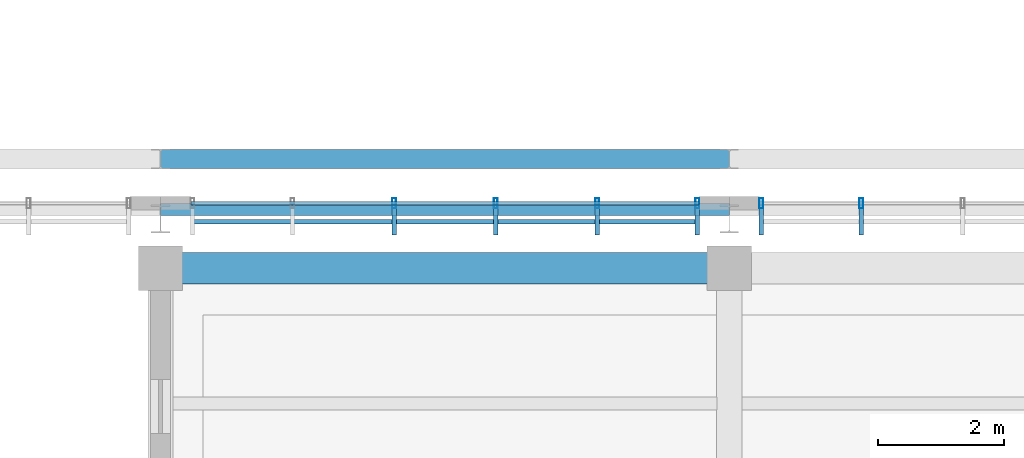
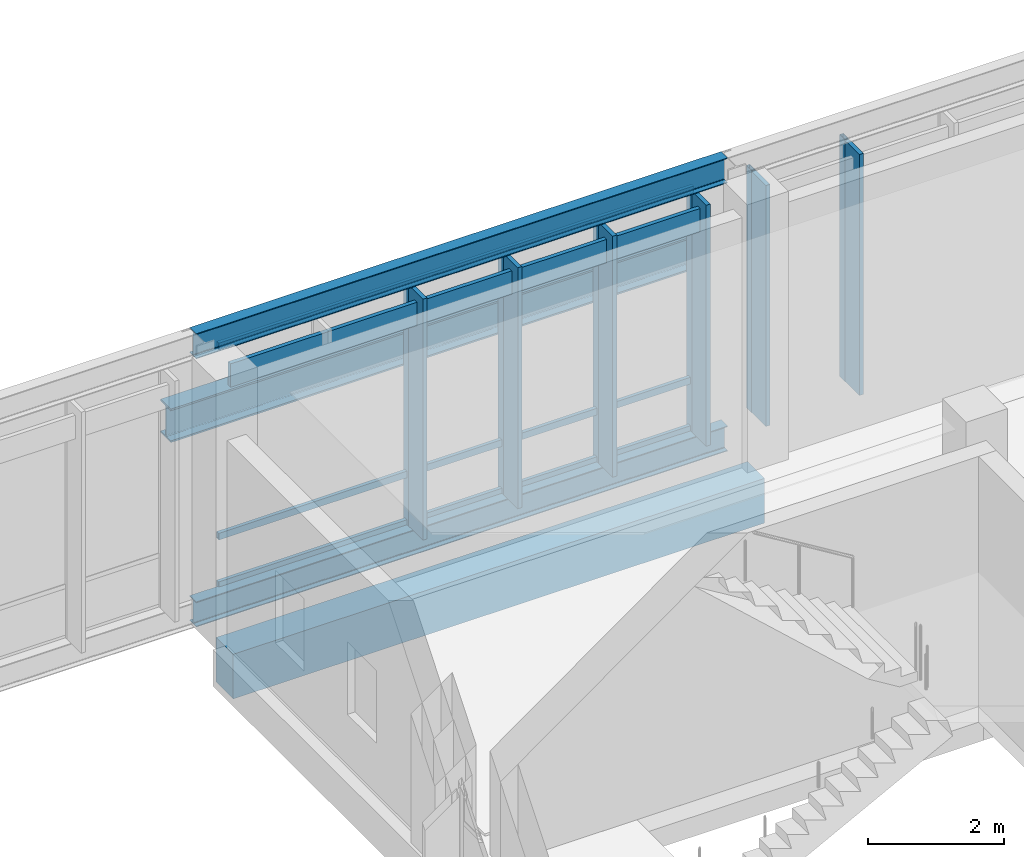
# One storey, part 96 of 177: 16 members, 4 beams, 2 elements without a shape of their own.
"""IFC4 building model written with IfcOpenShell, lengths in metres."""

from ifc_helpers import new_model, si_unit, direction, frame, origin, origin_2d, place, context, subcontext, project, spatial, rectangle, hollow_rectangle, i_section, extrude, material, material_profile, profile_set, type_object, element, aggregate, save


model = new_model("IFC4")

# Units and contexts
model_context = context("Model", 3, precision=1e-05, world=origin(), true_north=direction((0.0, 1.0)))
body_context = subcontext(model_context, "Body", "Model", "MODEL_VIEW")
ifc_project = project(units=[si_unit("LENGTHUNIT", "METRE"), si_unit("AREAUNIT", "SQUARE_METRE"), si_unit("VOLUMEUNIT", "CUBIC_METRE"), si_unit("PLANEANGLEUNIT", "RADIAN"), si_unit("MASSUNIT", "GRAM", prefix="KILO")], contexts=[model_context])

# Site, building, storey
site_placement = place(None, origin())
site = spatial("IfcSite", under=ifc_project, at=site_placement, CompositionType="ELEMENT")
building_placement = place(site_placement, origin())
building = spatial("IfcBuilding", under=site, at=building_placement, Name="Chiffa Square Polytechnic", CompositionType="ELEMENT")
storey_placement = place(building_placement, frame((0.0, 0.0, 4.800048828125)))
storey = spatial("IfcBuildingStorey", under=building, at=storey_placement, Name="L01", CompositionType="ELEMENT", Elevation=4.800048828125)

# Beams
ifc_material_1 = material(Name="Concrete C40/50", Category="concrete")
ifc_material_profile_1 = material_profile(ifc_material_1, rectangle(XDim=0.5, YDim=0.800048828125, at=origin_2d()), Name="RC 500x800")
ifc_profile_set_1 = profile_set([ifc_material_profile_1], Name="Concrete C40/50")
beam_type_1 = type_object("IfcBeamType", Name="BM-RC-500X800", PredefinedType="BEAM", material=ifc_profile_set_1)
beam_1_placement = place(storey_placement, frame((148.199951171875, 57.419921875, -0.679931640625), z_axis=(1.0, 0.0, 0.0), x_axis=(0.0, 1.0, 0.0)))
element("IfcBeam", 1, at=beam_1_placement, inside=storey, type_object=beam_type_1, Name="Primary floor girder BM-V1-L01-X-1482-0574", PredefinedType="BEAM", context=body_context, shape_type="SweptSolid", body=[
    extrude(rectangle(XDim=0.5, YDim=0.800048828125, at=origin_2d()), origin(), (0.0, 0.0, 1.0), 9.0),
])
ifc_material_2 = material(Name="Steel S355", Category="steel")
ifc_material_profile_2 = material_profile(ifc_material_2, i_section(OverallWidth=0.18994140625, OverallDepth=0.449951171875, WebThickness=0.009521484375, FlangeThickness=0.0146484375, FilletRadius=0.02099609375, at=origin_2d()), Name="IPE 450")
ifc_profile_set_2 = profile_set([ifc_material_profile_2], Name="Steel S355")
beam_type_2 = type_object("IfcBeamType", Name="BM-STL-IPE450", PredefinedType="BEAM", material=ifc_profile_set_2)
for number, where, z_axis, x_axis, name in (
    (2, (148.199951171875, 58.35009765625, -0.22509765625), (1.0, 0.0, 0.0), (0.0, 1.0, 0.0), "Workshop south clerestory sill girder BM-V2-STIE-L01-3"),
    (3, (148.199951171875, 58.35009765625, 4.574951171875), (1.0, 0.0, 0.0), (0.0, 1.0, 0.0), "Workshop south eave tie girder BM-V2-STIE-L02-3"),
):
    element("IfcBeam", number, at=place(storey_placement, frame(where, z_axis=z_axis, x_axis=x_axis)), inside=storey, type_object=beam_type_2, Name=name, PredefinedType="BEAM", context=body_context, shape_type="SweptSolid", body=[
        extrude(i_section(OverallWidth=0.18994140625, OverallDepth=0.449951171875, WebThickness=0.009521484375, FlangeThickness=0.0146484375, FilletRadius=0.02099609375, at=origin_2d()), origin(), (0.0, 0.0, 1.0), 9.0),
    ])
ifc_material_profile_3 = material_profile(ifc_material_2, i_section(OverallWidth=0.300048828125, OverallDepth=0.60009765625, WebThickness=0.015380859375, FlangeThickness=0.030029296875, FilletRadius=0.027099609375, at=origin_2d()), Name="HEB 600")
ifc_profile_set_3 = profile_set([ifc_material_profile_3], Name="Steel S355")
beam_type_3 = type_object("IfcBeamType", Name="CG-STL-HEB600", PredefinedType="USERDEFINED", material=ifc_profile_set_3)
beam_2_placement = place(storey_placement, frame((148.199951171875, 59.14990234375, 2.699951171875), z_axis=(1.0, 0.0, 0.0), x_axis=(0.0, 1.0, 0.0)))
element("IfcBeam", 4, at=beam_2_placement, inside=storey, type_object=beam_type_3, Name="Bridge crane runway girder CG-V2-L01-S05", ObjectType="CRANE GIRDER", PredefinedType="USERDEFINED", context=body_context, shape_type="SweptSolid", body=[
    extrude(i_section(OverallWidth=0.300048828125, OverallDepth=0.60009765625, WebThickness=0.015380859375, FlangeThickness=0.030029296875, FilletRadius=0.027099609375, at=origin_2d()), origin(), (0.0, 0.0, 1.0), 9.0),
])

# Curtain wall, members
ifc_material_3 = material(Name="Aluminium EN AW-6060 T66 and glulam shading", Category="wood")
curtain_wall_type_1 = type_object("IfcCurtainWallType", Name="CW-VERT-300X380", PredefinedType="USERDEFINED", material=ifc_material_3)
curtain_wall_1_placement = place(storey_placement, origin())
curtain_wall_1 = element("IfcCurtainWall", 5, at=curtain_wall_1_placement, inside=storey, type_object=curtain_wall_type_1, Name="Curtain wall CW-V2-L01S-03", ObjectType="CURTAIN WALL", PredefinedType="USERDEFINED")
ifc_material_4 = material(Name="Aluminium EN AW-6060 T66", Category="aluminium")
ifc_material_profile_4 = material_profile(ifc_material_4, hollow_rectangle(XDim=0.06005859375, YDim=0.159912109375, WallThickness=0.00390625, at=origin_2d()), Name="ALU 60x160x4")
ifc_profile_set_4 = profile_set([ifc_material_profile_4], Name="Aluminium EN AW-6060 T66")
member_type_1 = type_object("IfcMemberType", Name="CWM-ALU-65X150", PredefinedType="MULLION", material=ifc_profile_set_4)
member_1_placement = place(storey_placement, frame((151.89599609375, 58.449951171875, 0.0), z_axis=(0.0, 0.0, 1.0), x_axis=(1.0, 0.0, 0.0)))
member_1 = element("IfcMember", 6, at=member_1_placement, type_object=member_type_1, Name="Curtain wall mullion CW-V2-L01S-03-M02", PredefinedType="MULLION", context=body_context, shape_type="SweptSolid", body=[
    extrude(hollow_rectangle(XDim=0.06005859375, YDim=0.159912109375, WallThickness=0.00390625, at=origin_2d()), origin(), (0.0, 0.0, 1.0), 4.3349609375),
])
member_2_placement = place(storey_placement, frame((153.50390625, 58.449951171875, 0.0), z_axis=(0.0, 0.0, 1.0), x_axis=(1.0, 0.0, 0.0)))
member_2 = element("IfcMember", 7, at=member_2_placement, type_object=member_type_1, Name="Curtain wall mullion CW-V2-L01S-03-M03", PredefinedType="MULLION", context=body_context, shape_type="SweptSolid", body=[
    extrude(hollow_rectangle(XDim=0.06005859375, YDim=0.159912109375, WallThickness=0.00390625, at=origin_2d()), origin(), (0.0, 0.0, 1.0), 4.3349609375),
])
member_3_placement = place(storey_placement, frame((155.112060546875, 58.449951171875, 0.0), z_axis=(0.0, 0.0, 1.0), x_axis=(1.0, 0.0, 0.0)))
member_3 = element("IfcMember", 8, at=member_3_placement, type_object=member_type_1, Name="Curtain wall mullion CW-V2-L01S-03-M04", PredefinedType="MULLION", context=body_context, shape_type="SweptSolid", body=[
    extrude(hollow_rectangle(XDim=0.06005859375, YDim=0.159912109375, WallThickness=0.00390625, at=origin_2d()), origin(), (0.0, 0.0, 1.0), 4.3349609375),
])
member_4_placement = place(storey_placement, frame((156.695068359375, 58.449951171875, 0.0), z_axis=(0.0, 0.0, 1.0), x_axis=(1.0, 0.0, 0.0)))
member_4 = element("IfcMember", 9, at=member_4_placement, type_object=member_type_1, Name="Curtain wall mullion CW-V2-L01S-03-M05", PredefinedType="MULLION", context=body_context, shape_type="SweptSolid", body=[
    extrude(hollow_rectangle(XDim=0.06005859375, YDim=0.159912109375, WallThickness=0.00390625, at=origin_2d()), origin(), (0.0, 0.0, 1.0), 4.3349609375),
])

curtain_wall_type_2 = type_object("IfcCurtainWallType", Name="CW-VERT-600X380", PredefinedType="USERDEFINED", material=ifc_material_3)
curtain_wall_2_placement = place(storey_placement, origin())
curtain_wall_2 = element("IfcCurtainWall", 10, at=curtain_wall_2_placement, inside=storey, type_object=curtain_wall_type_2, Name="Curtain wall CW-V2-L01S-04", ObjectType="CURTAIN WALL", PredefinedType="USERDEFINED")
member_5_placement = place(storey_placement, frame((157.705078125, 58.449951171875, 0.0), z_axis=(0.0, 0.0, 1.0), x_axis=(1.0, 0.0, 0.0)))
member_5 = element("IfcMember", 11, at=member_5_placement, type_object=member_type_1, Name="Curtain wall mullion CW-V2-L01S-04-M00", PredefinedType="MULLION", context=body_context, shape_type="SweptSolid", body=[
    extrude(hollow_rectangle(XDim=0.06005859375, YDim=0.159912109375, WallThickness=0.00390625, at=origin_2d()), origin(), (0.0, 0.0, 1.0), 4.3349609375),
])
member_6_placement = place(storey_placement, frame((159.2880859375, 58.449951171875, 0.0), z_axis=(0.0, 0.0, 1.0), x_axis=(1.0, 0.0, 0.0)))
member_6 = element("IfcMember", 12, at=member_6_placement, type_object=member_type_1, Name="Curtain wall mullion CW-V2-L01S-04-M01", PredefinedType="MULLION", context=body_context, shape_type="SweptSolid", body=[
    extrude(hollow_rectangle(XDim=0.06005859375, YDim=0.159912109375, WallThickness=0.00390625, at=origin_2d()), origin(), (0.0, 0.0, 1.0), 4.3349609375),
])

# Member
ifc_material_5 = material(Name="Glulam GL28h", Category="wood")
ifc_material_profile_5 = material_profile(ifc_material_5, rectangle(XDim=0.070068359375, YDim=0.419921875, at=origin_2d()), Name="GL28h 70x420")
ifc_profile_set_5 = profile_set([ifc_material_profile_5], Name="Glulam GL28h")
member_type_2 = type_object("IfcMemberType", Name="CWM-GL-70X420", PredefinedType="MULLION", material=ifc_profile_set_5)
member_7_placement = place(storey_placement, frame((151.89599609375, 58.157958984375, 0.010009765625), z_axis=(0.0, 0.0, 1.0), x_axis=(1.0, 0.0, 0.0)))
member_7 = element("IfcMember", 13, at=member_7_placement, type_object=member_type_2, Name="Exterior glulam solar fin CW-V2-L01S-03-FN02", PredefinedType="MULLION", context=body_context, shape_type="SweptSolid", body=[
    extrude(rectangle(XDim=0.070068359375, YDim=0.419921875, at=origin_2d()), origin(), (0.0, 0.0, 1.0), 4.31494140625),
])

member_8_placement = place(storey_placement, frame((153.50390625, 58.157958984375, 0.010009765625), z_axis=(0.0, 0.0, 1.0), x_axis=(1.0, 0.0, 0.0)))
member_8 = element("IfcMember", 14, at=member_8_placement, type_object=member_type_2, Name="Exterior glulam solar fin CW-V2-L01S-03-FN03", PredefinedType="MULLION", context=body_context, shape_type="SweptSolid", body=[
    extrude(rectangle(XDim=0.070068359375, YDim=0.419921875, at=origin_2d()), origin(), (0.0, 0.0, 1.0), 4.31494140625),
])

member_9_placement = place(storey_placement, frame((155.112060546875, 58.157958984375, 0.010009765625), z_axis=(0.0, 0.0, 1.0), x_axis=(1.0, 0.0, 0.0)))
member_9 = element("IfcMember", 15, at=member_9_placement, type_object=member_type_2, Name="Exterior glulam solar fin CW-V2-L01S-03-FN04", PredefinedType="MULLION", context=body_context, shape_type="SweptSolid", body=[
    extrude(rectangle(XDim=0.070068359375, YDim=0.419921875, at=origin_2d()), origin(), (0.0, 0.0, 1.0), 4.31494140625),
])

member_10_placement = place(storey_placement, frame((156.695068359375, 58.157958984375, 0.010009765625), z_axis=(0.0, 0.0, 1.0), x_axis=(1.0, 0.0, 0.0)))
member_10 = element("IfcMember", 16, at=member_10_placement, type_object=member_type_2, Name="Exterior glulam solar fin CW-V2-L01S-03-FN05", PredefinedType="MULLION", context=body_context, shape_type="SweptSolid", body=[
    extrude(rectangle(XDim=0.070068359375, YDim=0.419921875, at=origin_2d()), origin(), (0.0, 0.0, 1.0), 4.31494140625),
])

member_11_placement = place(storey_placement, frame((157.705078125, 58.157958984375, 0.010009765625), z_axis=(0.0, 0.0, 1.0), x_axis=(1.0, 0.0, 0.0)))
member_11 = element("IfcMember", 17, at=member_11_placement, type_object=member_type_2, Name="Exterior glulam solar fin CW-V2-L01S-04-FN00", PredefinedType="MULLION", context=body_context, shape_type="SweptSolid", body=[
    extrude(rectangle(XDim=0.070068359375, YDim=0.419921875, at=origin_2d()), origin(), (0.0, 0.0, 1.0), 4.31494140625),
])

member_12_placement = place(storey_placement, frame((159.2880859375, 58.157958984375, 0.010009765625), z_axis=(0.0, 0.0, 1.0), x_axis=(1.0, 0.0, 0.0)))
member_12 = element("IfcMember", 18, at=member_12_placement, type_object=member_type_2, Name="Exterior glulam solar fin CW-V2-L01S-04-FN01", PredefinedType="MULLION", context=body_context, shape_type="SweptSolid", body=[
    extrude(rectangle(XDim=0.070068359375, YDim=0.419921875, at=origin_2d()), origin(), (0.0, 0.0, 1.0), 4.31494140625),
])

aggregate(curtain_wall_2, [member_5, member_11, member_6, member_12])

ifc_material_profile_6 = material_profile(ifc_material_4, hollow_rectangle(XDim=0.06005859375, YDim=0.1201171875, WallThickness=0.00390625, at=origin_2d()), Name="ALU 60x120x4")
ifc_profile_set_6 = profile_set([ifc_material_profile_6], Name="Aluminium EN AW-6060 T66")
member_type_3 = type_object("IfcMemberType", Name="CWT-ALU-65X120", PredefinedType="USERDEFINED", material=ifc_profile_set_6)
member_13_placement = place(storey_placement, frame((148.677978515625, 58.449951171875, 0.030029296875), z_axis=(1.0, 0.0, 0.0), x_axis=(0.0, 1.0, 0.0)))
member_13 = element("IfcMember", 19, at=member_13_placement, type_object=member_type_3, Name="Curtain wall transom CW-V2-L01S-03-T01", ObjectType="TRANSOM", PredefinedType="USERDEFINED", context=body_context, shape_type="SweptSolid", body=[
    extrude(hollow_rectangle(XDim=0.06005859375, YDim=0.1201171875, WallThickness=0.00390625, at=origin_2d()), origin(), (0.0, 0.0, 1.0), 8.0439453125),
])

member_14_placement = place(storey_placement, frame((148.677978515625, 58.449951171875, 0.89990234375), z_axis=(1.0, 0.0, 0.0), x_axis=(0.0, 1.0, 0.0)))
member_14 = element("IfcMember", 20, at=member_14_placement, type_object=member_type_3, Name="Curtain wall transom CW-V2-L01S-03-T02", ObjectType="TRANSOM", PredefinedType="USERDEFINED", context=body_context, shape_type="SweptSolid", body=[
    extrude(hollow_rectangle(XDim=0.06005859375, YDim=0.1201171875, WallThickness=0.00390625, at=origin_2d()), origin(), (0.0, 0.0, 1.0), 8.0439453125),
])

member_15_placement = place(storey_placement, frame((148.677978515625, 58.449951171875, 4.304931640625), z_axis=(1.0, 0.0, 0.0), x_axis=(0.0, 1.0, 0.0)))
member_15 = element("IfcMember", 21, at=member_15_placement, type_object=member_type_3, Name="Curtain wall transom CW-V2-L01S-03-T03", ObjectType="TRANSOM", PredefinedType="USERDEFINED", context=body_context, shape_type="SweptSolid", body=[
    extrude(hollow_rectangle(XDim=0.06005859375, YDim=0.1201171875, WallThickness=0.00390625, at=origin_2d()), origin(), (0.0, 0.0, 1.0), 8.0439453125),
])

ifc_material_profile_7 = material_profile(ifc_material_5, rectangle(XDim=0.070068359375, YDim=0.419921875, at=origin_2d()), Name="GL28h 70x420")
ifc_profile_set_7 = profile_set([ifc_material_profile_7], Name="Glulam GL28h")
member_type_4 = type_object("IfcMemberType", Name="CWT-GL-70X420", PredefinedType="USERDEFINED", material=ifc_profile_set_7)
member_16_placement = place(storey_placement, frame((148.705078125, 58.157958984375, 3.954833984375), z_axis=(1.0, 0.0, 0.0), x_axis=(0.0, 1.0, 0.0)))
member_16 = element("IfcMember", 22, at=member_16_placement, type_object=member_type_4, Name="Exterior glulam brise-soleil CW-V2-L01S-03-BS01", ObjectType="TRANSOM", PredefinedType="USERDEFINED", context=body_context, shape_type="SweptSolid", body=[
    extrude(rectangle(XDim=0.070068359375, YDim=0.419921875, at=origin_2d()), origin(), (0.0, 0.0, 1.0), 7.989990234375),
])

aggregate(curtain_wall_1, [member_1, member_7, member_2, member_8, member_3, member_9, member_4, member_10, member_13, member_14, member_15, member_16])

save(model, "model.ifc")
